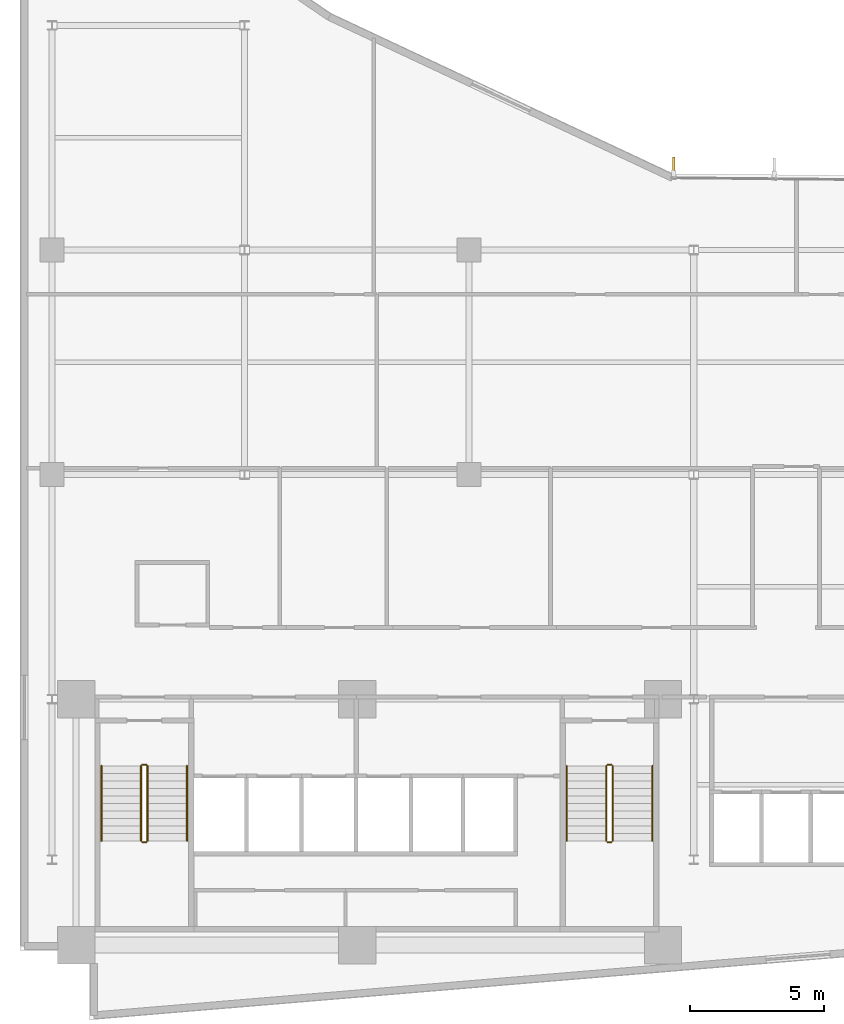
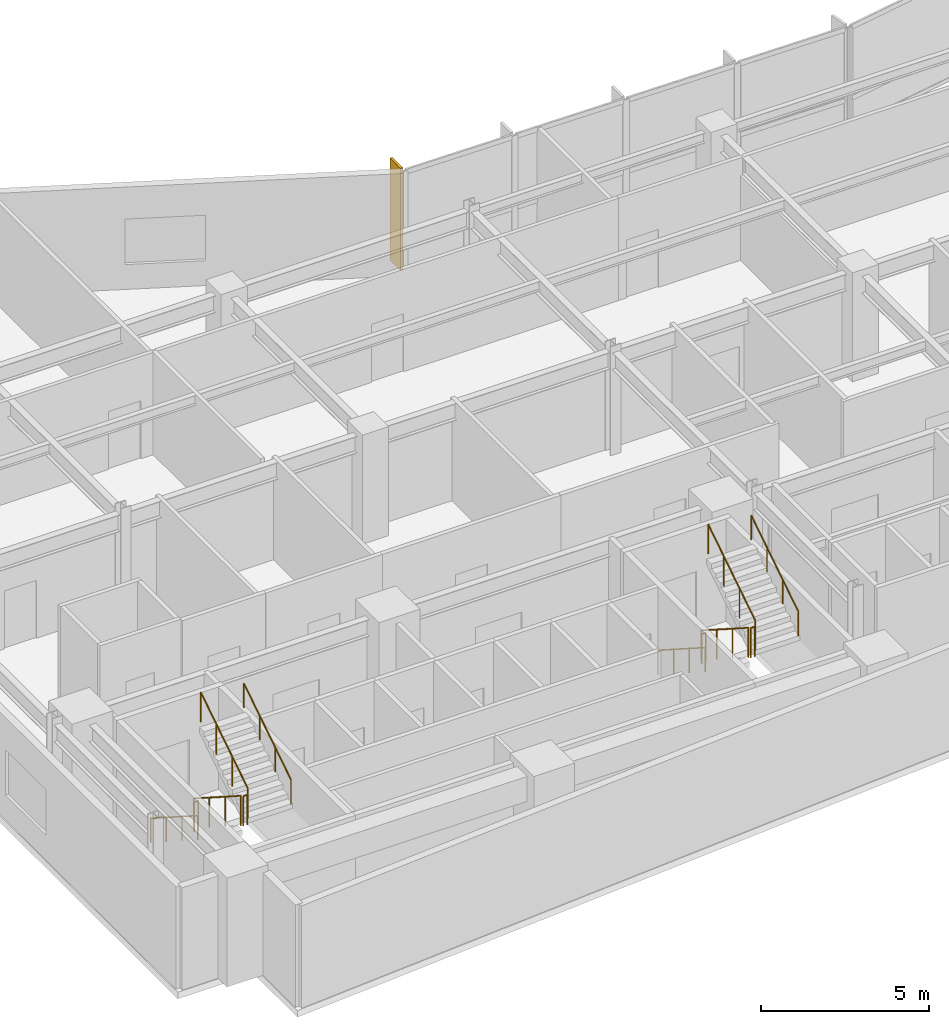
# One storey, part 14 of 18: 12 railings, 1 shading device.
"""IFC4 building model written with IfcOpenShell, lengths in metres."""

from ifc_helpers import new_model, si_unit, direction, frame, origin, origin_2d, place, context, subcontext, project, spatial, rectangle, circle, extrude, material, layer, layer_set, type_object, element, save


model = new_model("IFC4")

# Units and contexts
model_context = context("Model", 3, precision=1e-05, world=origin(), true_north=direction((0.0, 1.0)))
body_context = subcontext(model_context, "Body", "Model", "MODEL_VIEW")
ifc_project = project(units=[si_unit("LENGTHUNIT", "METRE"), si_unit("AREAUNIT", "SQUARE_METRE"), si_unit("VOLUMEUNIT", "CUBIC_METRE"), si_unit("PLANEANGLEUNIT", "RADIAN"), si_unit("MASSUNIT", "GRAM", prefix="KILO")], contexts=[model_context])

# Site, building, storey
site_placement = place(None, origin())
site = spatial("IfcSite", under=ifc_project, at=site_placement, CompositionType="ELEMENT")
building_placement = place(site_placement, origin())
building = spatial("IfcBuilding", under=site, at=building_placement, Name="Varnakote Quay Hospital", CompositionType="ELEMENT")
storey_placement = place(building_placement, frame((0.0, 0.0, 30.39990234375)))
storey = spatial("IfcBuildingStorey", under=building, at=storey_placement, Name="L07", CompositionType="ELEMENT", Elevation=30.39990234375)

# Railings
ifc_material_1 = material(Name="Brushed stainless steel balustrade", Category="steel")
railing_type_1 = type_object("IfcRailingType", Name="RLG-STAIR-GUARD-1150", PredefinedType="GUARDRAIL", material=ifc_material_1)
railing_1_placement = place(storey_placement, frame((4.530029296875, 9.5, 0.1796875)))
element("IfcRailing", 1, at=railing_1_placement, inside=storey, type_object=railing_type_1, Name="L07 ST-01 stair guard 1", PredefinedType="GUARDRAIL", context=body_context, shape_type="SweptSolid", body=[
    extrude(circle(Radius=0.02392578125, at=origin_2d()), frame((0.0, 0.0, 1.076171875), z_axis=(0.0, -0.841809871826, 0.539774156196), x_axis=(1.0, 0.0, 0.0)), (0.0, 0.0, 1.0), 3.326171875),
    extrude(circle(Radius=0.02099609375, at=origin_2d()), origin(), (0.0, 0.0, 1.0), 1.052001953125),
    extrude(circle(Radius=0.02099609375, at=origin_2d()), frame((0.0, -0.933349609375, 0.598388671875)), (0.0, 0.0, 1.0), 1.052001953125),
    extrude(circle(Radius=0.02099609375, at=origin_2d()), frame((0.0, -1.86669921875, 1.197021484375)), (0.0, 0.0, 1.0), 1.052001953125),
    extrude(circle(Radius=0.02099609375, at=origin_2d()), frame((0.0, -2.800048828125, 1.79541015625)), (0.0, 0.0, 1.0), 1.052001953125),
])
railing_2_placement = place(storey_placement, frame((4.580078125, 6.64990234375, 1.97509765625)))
element("IfcRailing", 2, at=railing_2_placement, inside=storey, type_object=railing_type_1, Name="L07 ST-01 stair guard 2", PredefinedType="GUARDRAIL", context=body_context, shape_type="SweptSolid", body=[
    extrude(circle(Radius=0.02392578125, at=origin_2d()), frame((0.0, 0.0, 1.076171875), z_axis=(1.0, 0.0, 0.0), x_axis=(0.0, 1.0, 0.0)), (0.0, 0.0, 1.0), 0.139892578125),
    extrude(circle(Radius=0.02099609375, at=origin_2d()), origin(), (0.0, 0.0, 1.0), 1.052001953125),
    extrude(circle(Radius=0.02099609375, at=origin_2d()), frame((0.139892578125, 0.0, 0.0)), (0.0, 0.0, 1.0), 1.052001953125),
])
railing_3_placement = place(storey_placement, frame((4.77001953125, 6.699951171875, 2.154541015625)))
element("IfcRailing", 3, at=railing_3_placement, inside=storey, type_object=railing_type_1, Name="L07 ST-01 stair guard 3", PredefinedType="GUARDRAIL", context=body_context, shape_type="SweptSolid", body=[
    extrude(circle(Radius=0.02392578125, at=origin_2d()), frame((0.0, 0.0, 1.076171875), z_axis=(0.0, 0.841776520102, 0.539826166654), x_axis=(-1.0, 0.0, 0.0)), (0.0, 0.0, 1.0), 3.326416015625),
    extrude(circle(Radius=0.02099609375, at=origin_2d()), origin(), (0.0, 0.0, 1.0), 1.052001953125),
    extrude(circle(Radius=0.02099609375, at=origin_2d()), frame((0.0, 0.933349609375, 0.5986328125)), (0.0, 0.0, 1.0), 1.052001953125),
    extrude(circle(Radius=0.02099609375, at=origin_2d()), frame((0.0, 1.86669921875, 1.197021484375)), (0.0, 0.0, 1.0), 1.052001953125),
    extrude(circle(Radius=0.02099609375, at=origin_2d()), frame((0.0, 2.800048828125, 1.795654296875)), (0.0, 0.0, 1.0), 1.052001953125),
])
railing_4_placement = place(storey_placement, frame((4.580078125, 9.550048828125, 0.0)))
element("IfcRailing", 4, at=railing_4_placement, inside=storey, type_object=railing_type_1, Name="L07 ST-01 stair guard 4", PredefinedType="GUARDRAIL", context=body_context, shape_type="SweptSolid", body=[
    extrude(circle(Radius=0.02392578125, at=origin_2d()), frame((0.0, 0.0, 1.076171875), z_axis=(1.0, 0.0, 0.0), x_axis=(0.0, 1.0, 0.0)), (0.0, 0.0, 1.0), 0.139892578125),
    extrude(circle(Radius=0.02099609375, at=origin_2d()), origin(), (0.0, 0.0, 1.0), 1.052001953125),
    extrude(circle(Radius=0.02099609375, at=origin_2d()), frame((0.139892578125, 0.0, 0.0)), (0.0, 0.0, 1.0), 1.052001953125),
])
railing_5_placement = place(storey_placement, frame((21.929931640625, 9.5, 0.1796875)))
element("IfcRailing", 5, at=railing_5_placement, inside=storey, type_object=railing_type_1, Name="L07 ST-02 stair guard 1", PredefinedType="GUARDRAIL", context=body_context, shape_type="SweptSolid", body=[
    extrude(circle(Radius=0.02392578125, at=origin_2d()), frame((0.0, 0.0, 1.076171875), z_axis=(0.0, -0.841809871826, 0.539774156196), x_axis=(1.0, 0.0, 0.0)), (0.0, 0.0, 1.0), 3.326171875),
    extrude(circle(Radius=0.02099609375, at=origin_2d()), origin(), (0.0, 0.0, 1.0), 1.052001953125),
    extrude(circle(Radius=0.02099609375, at=origin_2d()), frame((0.0, -0.933349609375, 0.598388671875)), (0.0, 0.0, 1.0), 1.052001953125),
    extrude(circle(Radius=0.02099609375, at=origin_2d()), frame((0.0, -1.86669921875, 1.197021484375)), (0.0, 0.0, 1.0), 1.052001953125),
    extrude(circle(Radius=0.02099609375, at=origin_2d()), frame((0.0, -2.800048828125, 1.79541015625)), (0.0, 0.0, 1.0), 1.052001953125),
])
railing_6_placement = place(storey_placement, frame((21.97998046875, 6.64990234375, 1.97509765625)))
element("IfcRailing", 6, at=railing_6_placement, inside=storey, type_object=railing_type_1, Name="L07 ST-02 stair guard 2", PredefinedType="GUARDRAIL", context=body_context, shape_type="SweptSolid", body=[
    extrude(circle(Radius=0.02392578125, at=origin_2d()), frame((0.0, 0.0, 1.076171875), z_axis=(1.0, 0.0, 0.0), x_axis=(0.0, 1.0, 0.0)), (0.0, 0.0, 1.0), 0.14013671875),
    extrude(circle(Radius=0.02099609375, at=origin_2d()), origin(), (0.0, 0.0, 1.0), 1.052001953125),
    extrude(circle(Radius=0.02099609375, at=origin_2d()), frame((0.14013671875, 0.0, 0.0)), (0.0, 0.0, 1.0), 1.052001953125),
])
railing_7_placement = place(storey_placement, frame((22.169921875, 6.699951171875, 2.154541015625)))
element("IfcRailing", 7, at=railing_7_placement, inside=storey, type_object=railing_type_1, Name="L07 ST-02 stair guard 3", PredefinedType="GUARDRAIL", context=body_context, shape_type="SweptSolid", body=[
    extrude(circle(Radius=0.02392578125, at=origin_2d()), frame((0.0, 0.0, 1.076171875), z_axis=(0.0, 0.841776520102, 0.539826166654), x_axis=(-1.0, 0.0, 0.0)), (0.0, 0.0, 1.0), 3.326416015625),
    extrude(circle(Radius=0.02099609375, at=origin_2d()), origin(), (0.0, 0.0, 1.0), 1.052001953125),
    extrude(circle(Radius=0.02099609375, at=origin_2d()), frame((0.0, 0.933349609375, 0.5986328125)), (0.0, 0.0, 1.0), 1.052001953125),
    extrude(circle(Radius=0.02099609375, at=origin_2d()), frame((0.0, 1.86669921875, 1.197021484375)), (0.0, 0.0, 1.0), 1.052001953125),
    extrude(circle(Radius=0.02099609375, at=origin_2d()), frame((0.0, 2.800048828125, 1.795654296875)), (0.0, 0.0, 1.0), 1.052001953125),
])
railing_8_placement = place(storey_placement, frame((21.97998046875, 9.550048828125, 0.0)))
element("IfcRailing", 8, at=railing_8_placement, inside=storey, type_object=railing_type_1, Name="L07 ST-02 stair guard 4", PredefinedType="GUARDRAIL", context=body_context, shape_type="SweptSolid", body=[
    extrude(circle(Radius=0.02392578125, at=origin_2d()), frame((0.0, 0.0, 1.076171875), z_axis=(1.0, 0.0, 0.0), x_axis=(0.0, 1.0, 0.0)), (0.0, 0.0, 1.0), 0.14013671875),
    extrude(circle(Radius=0.02099609375, at=origin_2d()), origin(), (0.0, 0.0, 1.0), 1.052001953125),
    extrude(circle(Radius=0.02099609375, at=origin_2d()), frame((0.14013671875, 0.0, 0.0)), (0.0, 0.0, 1.0), 1.052001953125),
])
ifc_material_2 = material(Name="Brushed stainless steel handrail", Category="steel")
railing_type_2 = type_object("IfcRailingType", Name="RLG-STAIR-HND-920", PredefinedType="HANDRAIL", material=ifc_material_2)
railing_9_placement = place(storey_placement, frame((3.050048828125, 9.5, 0.1796875)))
element("IfcRailing", 9, at=railing_9_placement, inside=storey, type_object=railing_type_2, Name="L07 ST-01 stair handrail 1", PredefinedType="HANDRAIL", context=body_context, shape_type="SweptSolid", body=[
    extrude(circle(Radius=0.02392578125, at=origin_2d()), frame((0.0, 0.0, 0.8759765625), z_axis=(0.0, -0.841809871826, 0.539774156196), x_axis=(1.0, 0.0, 0.0)), (0.0, 0.0, 1.0), 3.326171875),
    extrude(circle(Radius=0.02099609375, at=origin_2d()), origin(), (0.0, 0.0, 1.0), 0.851806640625),
    extrude(circle(Radius=0.02099609375, at=origin_2d()), frame((0.0, -0.933349609375, 0.598388671875)), (0.0, 0.0, 1.0), 0.851806640625),
    extrude(circle(Radius=0.02099609375, at=origin_2d()), frame((0.0, -1.86669921875, 1.197021484375)), (0.0, 0.0, 1.0), 0.851806640625),
    extrude(circle(Radius=0.02099609375, at=origin_2d()), frame((0.0, -2.800048828125, 1.79541015625)), (0.0, 0.0, 1.0), 0.851806640625),
])
railing_10_placement = place(storey_placement, frame((6.25, 6.699951171875, 2.154541015625)))
element("IfcRailing", 10, at=railing_10_placement, inside=storey, type_object=railing_type_2, Name="L07 ST-01 stair handrail 2", PredefinedType="HANDRAIL", context=body_context, shape_type="SweptSolid", body=[
    extrude(circle(Radius=0.02392578125, at=origin_2d()), frame((0.0, 0.0, 0.8759765625), z_axis=(0.0, 0.841776520102, 0.539826166654), x_axis=(-1.0, 0.0, 0.0)), (0.0, 0.0, 1.0), 3.326416015625),
    extrude(circle(Radius=0.02099609375, at=origin_2d()), origin(), (0.0, 0.0, 1.0), 0.851806640625),
    extrude(circle(Radius=0.02099609375, at=origin_2d()), frame((0.0, 0.933349609375, 0.5986328125)), (0.0, 0.0, 1.0), 0.851806640625),
    extrude(circle(Radius=0.02099609375, at=origin_2d()), frame((0.0, 1.86669921875, 1.197021484375)), (0.0, 0.0, 1.0), 0.851806640625),
    extrude(circle(Radius=0.02099609375, at=origin_2d()), frame((0.0, 2.800048828125, 1.795654296875)), (0.0, 0.0, 1.0), 0.851806640625),
])
railing_11_placement = place(storey_placement, frame((20.449951171875, 9.5, 0.1796875)))
element("IfcRailing", 11, at=railing_11_placement, inside=storey, type_object=railing_type_2, Name="L07 ST-02 stair handrail 1", PredefinedType="HANDRAIL", context=body_context, shape_type="SweptSolid", body=[
    extrude(circle(Radius=0.02392578125, at=origin_2d()), frame((0.0, 0.0, 0.8759765625), z_axis=(0.0, -0.841809871826, 0.539774156196), x_axis=(1.0, 0.0, 0.0)), (0.0, 0.0, 1.0), 3.326171875),
    extrude(circle(Radius=0.02099609375, at=origin_2d()), origin(), (0.0, 0.0, 1.0), 0.851806640625),
    extrude(circle(Radius=0.02099609375, at=origin_2d()), frame((0.0, -0.933349609375, 0.598388671875)), (0.0, 0.0, 1.0), 0.851806640625),
    extrude(circle(Radius=0.02099609375, at=origin_2d()), frame((0.0, -1.86669921875, 1.197021484375)), (0.0, 0.0, 1.0), 0.851806640625),
    extrude(circle(Radius=0.02099609375, at=origin_2d()), frame((0.0, -2.800048828125, 1.79541015625)), (0.0, 0.0, 1.0), 0.851806640625),
])
railing_12_placement = place(storey_placement, frame((23.64990234375, 6.699951171875, 2.154541015625)))
element("IfcRailing", 12, at=railing_12_placement, inside=storey, type_object=railing_type_2, Name="L07 ST-02 stair handrail 2", PredefinedType="HANDRAIL", context=body_context, shape_type="SweptSolid", body=[
    extrude(circle(Radius=0.02392578125, at=origin_2d()), frame((0.0, 0.0, 0.8759765625), z_axis=(0.0, 0.841776520102, 0.539826166654), x_axis=(-1.0, 0.0, 0.0)), (0.0, 0.0, 1.0), 3.326416015625),
    extrude(circle(Radius=0.02099609375, at=origin_2d()), origin(), (0.0, 0.0, 1.0), 0.851806640625),
    extrude(circle(Radius=0.02099609375, at=origin_2d()), frame((0.0, 0.933349609375, 0.5986328125)), (0.0, 0.0, 1.0), 0.851806640625),
    extrude(circle(Radius=0.02099609375, at=origin_2d()), frame((0.0, 1.86669921875, 1.197021484375)), (0.0, 0.0, 1.0), 0.851806640625),
    extrude(circle(Radius=0.02099609375, at=origin_2d()), frame((0.0, 2.800048828125, 1.795654296875)), (0.0, 0.0, 1.0), 0.851806640625),
])

# Shading device
ifc_material_3 = material(Name="Anodised aluminium 6063-T6 Bronze", Category="aluminium")
ifc_layer = layer(ifc_material_3, 0.0849609375)
ifc_layer_set = layer_set([ifc_layer], Name="Anodised aluminium 6063-T6 Bronze")
shading_device_type = type_object("IfcShadingDeviceType", Name="SHD-BRONZE-FIN-620", PredefinedType="USERDEFINED", material=ifc_layer_set)
shading_device_placement = place(storey_placement, frame((24.44970703125, 31.9619140625, 0.0), z_axis=(0.0, 0.0, 1.0), x_axis=(-0.009773688199, -0.999952236369, 0.0)))
element("IfcShadingDevice", 13, at=shading_device_placement, inside=storey, type_object=shading_device_type, Name="L07 Anodised Bronze Vertical Shading FIN", ObjectType="FIN", PredefinedType="USERDEFINED", context=body_context, shape_type="SweptSolid", body=[
    extrude(rectangle(XDim=0.6201171875, YDim=0.0849609375, at=origin_2d()), origin(), (0.0, 0.0, 1.0), 3.7099609375),
])

save(model, "model.ifc")
